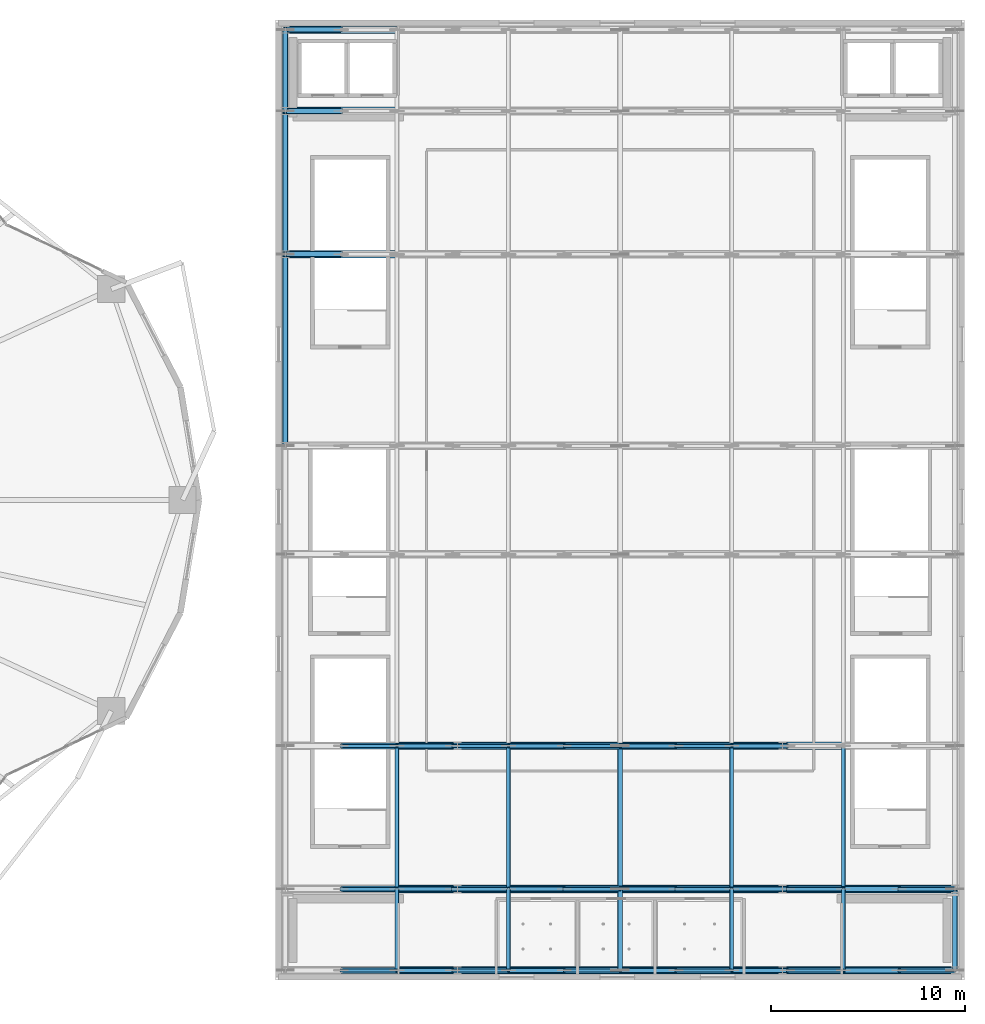
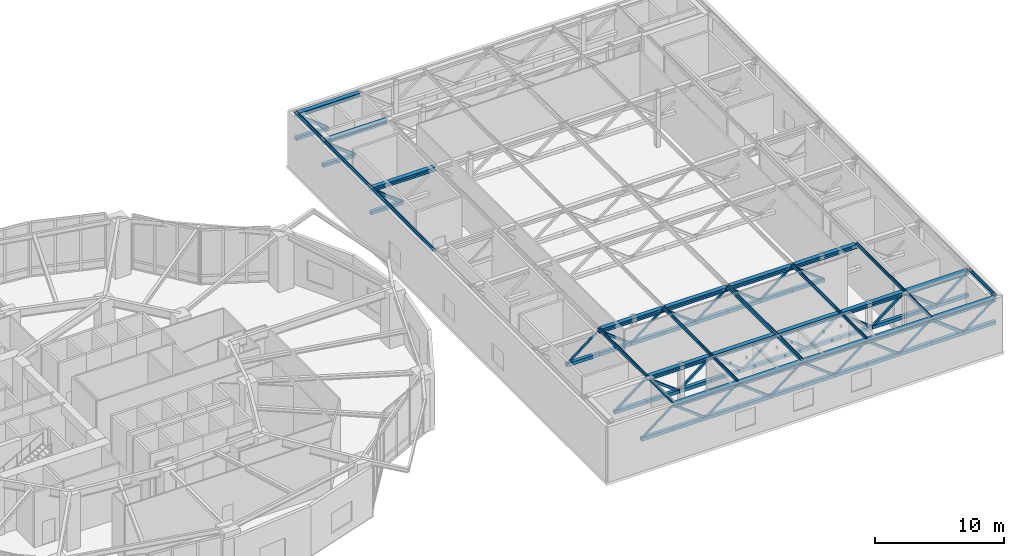
# One storey, part 11 of 29: 97 members.
"""IFC4 building model written with IfcOpenShell, lengths in metres."""

from ifc_helpers import new_model, si_unit, direction, frame, origin, origin_2d, place, context, subcontext, project, spatial, hollow_rectangle, i_section, extrude, material, material_profile, profile_set, type_object, element, save


model = new_model("IFC4")

# Units and contexts
model_context = context("Model", 3, precision=1e-05, world=origin(), true_north=direction((0.0, 1.0)))
body_context = subcontext(model_context, "Body", "Model", "MODEL_VIEW")
ifc_project = project(units=[si_unit("LENGTHUNIT", "METRE"), si_unit("AREAUNIT", "SQUARE_METRE"), si_unit("VOLUMEUNIT", "CUBIC_METRE"), si_unit("PLANEANGLEUNIT", "RADIAN"), si_unit("MASSUNIT", "GRAM", prefix="KILO")], contexts=[model_context])

# Site, building, storey
site_placement = place(None, origin())
site = spatial("IfcSite", under=ifc_project, at=site_placement, CompositionType="ELEMENT")
building_placement = place(site_placement, origin())
building = spatial("IfcBuilding", under=site, at=building_placement, Name="Kolvaren Gate Tower and Convention Centre", CompositionType="ELEMENT")
storey_placement = place(building_placement, frame((0.0, 0.0, 21.0)))
storey = spatial("IfcBuildingStorey", under=building, at=storey_placement, Name="L04", CompositionType="ELEMENT", Elevation=21.0)

# Members
ifc_material_1 = material(Name="Structural steel ASTM A500 Grade C 345 MPa", Category="steel")
ifc_material_profile_1 = material_profile(ifc_material_1, hollow_rectangle(XDim=0.202880859375, YDim=0.202880859375, WallThickness=0.0126953125, at=origin_2d()), Name="HSS203X203X12.7")
ifc_profile_set_1 = profile_set([ifc_material_profile_1], Name="Structural steel ASTM A500 Grade C 345 MPa")
member_type_1 = type_object("IfcMemberType", Name="STR-BR-HSS203X203", PredefinedType="BRACE", material=ifc_profile_set_1)
for number, where, z_axis, x_axis, name in (
    (1, (68.466796875, 2.699951171875, 4.919921875), (0.79235205207, 0.0, -0.610064115959), (0.0, 1.0, 0.0), "Convention Roof Truss TR-01 Web Diagonal 2A"),
    (2, (74.2333984375, 2.699951171875, 4.919921875), (0.79235205207, 0.0, -0.610064115959), (0.0, 1.0, 0.0), "Convention Roof Truss TR-01 Web Diagonal 3A"),
    (3, (80.0, 2.699951171875, 4.919921875), (0.79235205207, 0.0, -0.610064115959), (0.0, 1.0, 0.0), "Convention Roof Truss TR-01 Web Diagonal 4A"),
    (4, (85.7666015625, 2.699951171875, 4.919921875), (0.79235205207, 0.0, -0.610064115959), (0.0, 1.0, 0.0), "Convention Roof Truss TR-01 Web Diagonal 5A"),
    (5, (68.466796875, 6.89990234375, 4.919921875), (0.79235205207, 0.0, -0.610064115959), (0.0, 1.0, 0.0), "Convention Roof Truss TR-02 Web Diagonal 2A"),
    (6, (74.2333984375, 6.89990234375, 4.919921875), (0.79235205207, 0.0, -0.610064115959), (0.0, 1.0, 0.0), "Convention Roof Truss TR-02 Web Diagonal 3A"),
    (7, (80.0, 6.89990234375, 4.919921875), (0.79235205207, 0.0, -0.610064115959), (0.0, 1.0, 0.0), "Convention Roof Truss TR-02 Web Diagonal 4A"),
    (8, (85.7666015625, 6.89990234375, 4.919921875), (0.79235205207, 0.0, -0.610064115959), (0.0, 1.0, 0.0), "Convention Roof Truss TR-02 Web Diagonal 5A"),
    (9, (68.466796875, 14.300048828125, 4.919921875), (0.79235205207, 0.0, -0.610064115959), (0.0, 1.0, 0.0), "Convention Roof Truss TR-03 Web Diagonal 2A"),
    (10, (74.2333984375, 14.300048828125, 4.919921875), (0.79235205207, 0.0, -0.610064115959), (0.0, 1.0, 0.0), "Convention Roof Truss TR-03 Web Diagonal 3A"),
    (11, (80.0, 14.300048828125, 4.919921875), (0.79235205207, 0.0, -0.610064115959), (0.0, 1.0, 0.0), "Convention Roof Truss TR-03 Web Diagonal 4A"),
    (12, (85.7666015625, 14.300048828125, 4.919921875), (0.79235205207, 0.0, -0.610064115959), (0.0, 1.0, 0.0), "Convention Roof Truss TR-03 Web Diagonal 5A"),
):
    element("IfcMember", number, at=place(storey_placement, frame(where, z_axis=z_axis, x_axis=x_axis)), inside=storey, type_object=member_type_1, Name=name, PredefinedType="BRACE", context=body_context, shape_type="SweptSolid", body=[
        extrude(hollow_rectangle(XDim=0.202880859375, YDim=0.202880859375, WallThickness=0.0126953125, at=origin_2d()), origin(), (0.0, 0.0, 1.0), 3.638916015625),
    ])
ifc_material_profile_2 = material_profile(ifc_material_1, hollow_rectangle(XDim=0.25390625, YDim=0.25390625, WallThickness=0.015869140625, at=origin_2d()), Name="HSS254X254X15.9")
ifc_profile_set_2 = profile_set([ifc_material_profile_2], Name="Structural steel ASTM A500 Grade C 345 MPa")
member_type_2 = type_object("IfcMemberType", Name="STR-BR-HSS254X254", PredefinedType="BRACE", material=ifc_profile_set_2)
for number, where, z_axis, x_axis, name in (
    (13, (91.533203125, 2.699951171875, 4.919921875), (0.79237702012, 0.0, -0.610031686051), (0.0, 1.0, 0.0), "Convention Roof Truss TR-01 Web Diagonal 6A"),
    (14, (91.533203125, 6.89990234375, 4.919921875), (0.79237702012, 0.0, -0.610031686051), (0.0, 1.0, 0.0), "Convention Roof Truss TR-02 Web Diagonal 6A"),
):
    element("IfcMember", number, at=place(storey_placement, frame(where, z_axis=z_axis, x_axis=x_axis)), inside=storey, type_object=member_type_2, Name=name, PredefinedType="BRACE", context=body_context, shape_type="SweptSolid", body=[
        extrude(hollow_rectangle(XDim=0.25390625, YDim=0.25390625, WallThickness=0.015869140625, at=origin_2d()), origin(), (0.0, 0.0, 1.0), 3.63916015625),
    ])
for number, where, z_axis, x_axis, name in (
    (15, (62.699951171875, 39.699951171875, 4.919921875), (0.79235205207, 0.0, -0.610064115959), (0.0, 1.0, 0.0), "Convention Roof Truss TR-06 Web Diagonal 1A"),
    (16, (62.699951171875, 47.10009765625, 4.919921875), (0.79235205207, 0.0, -0.610064115959), (0.0, 1.0, 0.0), "Convention Roof Truss TR-07 Web Diagonal 1A"),
    (17, (62.699951171875, 51.300048828125, 4.919921875), (0.79235205207, 0.0, -0.610064115959), (0.0, 1.0, 0.0), "Convention Roof Truss TR-08 Web Diagonal 1A"),
):
    element("IfcMember", number, at=place(storey_placement, frame(where, z_axis=z_axis, x_axis=x_axis)), inside=storey, type_object=member_type_2, Name=name, PredefinedType="BRACE", context=body_context, shape_type="SweptSolid", body=[
        extrude(hollow_rectangle(XDim=0.25390625, YDim=0.25390625, WallThickness=0.015869140625, at=origin_2d()), origin(), (0.0, 0.0, 1.0), 3.638916015625),
    ])
ifc_material_profile_3 = material_profile(ifc_material_1, hollow_rectangle(XDim=0.304931640625, YDim=0.304931640625, WallThickness=0.015869140625, at=origin_2d()), Name="HSS305X305X15.9")
ifc_profile_set_3 = profile_set([ifc_material_profile_3], Name="Structural steel ASTM A500 Grade C 345 MPa")
member_type_3 = type_object("IfcMemberType", Name="STR-CH-HSS305X305", PredefinedType="CHORD", material=ifc_profile_set_3)
member_1_placement = place(storey_placement, frame((65.583251953125, 2.699951171875, 2.699951171875), z_axis=(1.0, 0.0, 0.0), x_axis=(0.0, 1.0, 0.0)))
element("IfcMember", 18, at=member_1_placement, inside=storey, type_object=member_type_3, Name="Convention Roof Truss TR-01 Bottom Chord 1B", PredefinedType="CHORD", context=body_context, shape_type="SweptSolid", body=[
    extrude(hollow_rectangle(XDim=0.304931640625, YDim=0.304931640625, WallThickness=0.015869140625, at=origin_2d()), origin(), (0.0, 0.0, 1.0), 2.883544921875),
])
for number, where, z_axis, x_axis, name in (
    (19, (68.466796875, 2.699951171875, 2.699951171875), (1.0, 0.0, 0.0), (0.0, 1.0, 0.0), "Convention Roof Truss TR-01 Bottom Chord 2A"),
    (20, (71.35009765625, 2.699951171875, 2.699951171875), (1.0, 0.0, 0.0), (0.0, 1.0, 0.0), "Convention Roof Truss TR-01 Bottom Chord 2B"),
    (21, (74.2333984375, 2.699951171875, 2.699951171875), (1.0, 0.0, 0.0), (0.0, 1.0, 0.0), "Convention Roof Truss TR-01 Bottom Chord 3A"),
    (22, (77.11669921875, 2.699951171875, 2.699951171875), (1.0, 0.0, 0.0), (0.0, 1.0, 0.0), "Convention Roof Truss TR-01 Bottom Chord 3B"),
    (23, (80.0, 2.699951171875, 2.699951171875), (1.0, 0.0, 0.0), (0.0, 1.0, 0.0), "Convention Roof Truss TR-01 Bottom Chord 4A"),
    (24, (82.88330078125, 2.699951171875, 2.699951171875), (1.0, 0.0, 0.0), (0.0, 1.0, 0.0), "Convention Roof Truss TR-01 Bottom Chord 4B"),
    (25, (85.7666015625, 2.699951171875, 2.699951171875), (1.0, 0.0, 0.0), (0.0, 1.0, 0.0), "Convention Roof Truss TR-01 Bottom Chord 5A"),
    (26, (88.64990234375, 2.699951171875, 2.699951171875), (1.0, 0.0, 0.0), (0.0, 1.0, 0.0), "Convention Roof Truss TR-01 Bottom Chord 5B"),
):
    element("IfcMember", number, at=place(storey_placement, frame(where, z_axis=z_axis, x_axis=x_axis)), inside=storey, type_object=member_type_3, Name=name, PredefinedType="CHORD", context=body_context, shape_type="SweptSolid", body=[
        extrude(hollow_rectangle(XDim=0.304931640625, YDim=0.304931640625, WallThickness=0.015869140625, at=origin_2d()), origin(), (0.0, 0.0, 1.0), 2.88330078125),
    ])
member_2_placement = place(storey_placement, frame((91.533203125, 2.699951171875, 2.699951171875), z_axis=(1.0, 0.0, 0.0), x_axis=(0.0, 1.0, 0.0)))
element("IfcMember", 27, at=member_2_placement, inside=storey, type_object=member_type_3, Name="Convention Roof Truss TR-01 Bottom Chord 6A", PredefinedType="CHORD", context=body_context, shape_type="SweptSolid", body=[
    extrude(hollow_rectangle(XDim=0.304931640625, YDim=0.304931640625, WallThickness=0.015869140625, at=origin_2d()), origin(), (0.0, 0.0, 1.0), 2.883544921875),
])
member_3_placement = place(storey_placement, frame((94.416748046875, 2.699951171875, 2.699951171875), z_axis=(1.0, 0.0, 0.0), x_axis=(0.0, 1.0, 0.0)))
element("IfcMember", 28, at=member_3_placement, inside=storey, type_object=member_type_3, Name="Convention Roof Truss TR-01 Bottom Chord 6B", PredefinedType="CHORD", context=body_context, shape_type="SweptSolid", body=[
    extrude(hollow_rectangle(XDim=0.304931640625, YDim=0.304931640625, WallThickness=0.015869140625, at=origin_2d()), origin(), (0.0, 0.0, 1.0), 2.88330078125),
])
member_4_placement = place(storey_placement, frame((65.583251953125, 6.89990234375, 2.699951171875), z_axis=(1.0, 0.0, 0.0), x_axis=(0.0, 1.0, 0.0)))
element("IfcMember", 29, at=member_4_placement, inside=storey, type_object=member_type_3, Name="Convention Roof Truss TR-02 Bottom Chord 1B", PredefinedType="CHORD", context=body_context, shape_type="SweptSolid", body=[
    extrude(hollow_rectangle(XDim=0.304931640625, YDim=0.304931640625, WallThickness=0.015869140625, at=origin_2d()), origin(), (0.0, 0.0, 1.0), 2.883544921875),
])
for number, where, z_axis, x_axis, name in (
    (30, (68.466796875, 6.89990234375, 2.699951171875), (1.0, 0.0, 0.0), (0.0, 1.0, 0.0), "Convention Roof Truss TR-02 Bottom Chord 2A"),
    (31, (71.35009765625, 6.89990234375, 2.699951171875), (1.0, 0.0, 0.0), (0.0, 1.0, 0.0), "Convention Roof Truss TR-02 Bottom Chord 2B"),
    (32, (74.2333984375, 6.89990234375, 2.699951171875), (1.0, 0.0, 0.0), (0.0, 1.0, 0.0), "Convention Roof Truss TR-02 Bottom Chord 3A"),
    (33, (77.11669921875, 6.89990234375, 2.699951171875), (1.0, 0.0, 0.0), (0.0, 1.0, 0.0), "Convention Roof Truss TR-02 Bottom Chord 3B"),
    (34, (80.0, 6.89990234375, 2.699951171875), (1.0, 0.0, 0.0), (0.0, 1.0, 0.0), "Convention Roof Truss TR-02 Bottom Chord 4A"),
    (35, (82.88330078125, 6.89990234375, 2.699951171875), (1.0, 0.0, 0.0), (0.0, 1.0, 0.0), "Convention Roof Truss TR-02 Bottom Chord 4B"),
    (36, (85.7666015625, 6.89990234375, 2.699951171875), (1.0, 0.0, 0.0), (0.0, 1.0, 0.0), "Convention Roof Truss TR-02 Bottom Chord 5A"),
    (37, (88.64990234375, 6.89990234375, 2.699951171875), (1.0, 0.0, 0.0), (0.0, 1.0, 0.0), "Convention Roof Truss TR-02 Bottom Chord 5B"),
):
    element("IfcMember", number, at=place(storey_placement, frame(where, z_axis=z_axis, x_axis=x_axis)), inside=storey, type_object=member_type_3, Name=name, PredefinedType="CHORD", context=body_context, shape_type="SweptSolid", body=[
        extrude(hollow_rectangle(XDim=0.304931640625, YDim=0.304931640625, WallThickness=0.015869140625, at=origin_2d()), origin(), (0.0, 0.0, 1.0), 2.88330078125),
    ])
member_5_placement = place(storey_placement, frame((91.533203125, 6.89990234375, 2.699951171875), z_axis=(1.0, 0.0, 0.0), x_axis=(0.0, 1.0, 0.0)))
element("IfcMember", 38, at=member_5_placement, inside=storey, type_object=member_type_3, Name="Convention Roof Truss TR-02 Bottom Chord 6A", PredefinedType="CHORD", context=body_context, shape_type="SweptSolid", body=[
    extrude(hollow_rectangle(XDim=0.304931640625, YDim=0.304931640625, WallThickness=0.015869140625, at=origin_2d()), origin(), (0.0, 0.0, 1.0), 2.883544921875),
])
member_6_placement = place(storey_placement, frame((94.416748046875, 6.89990234375, 2.699951171875), z_axis=(1.0, 0.0, 0.0), x_axis=(0.0, 1.0, 0.0)))
element("IfcMember", 39, at=member_6_placement, inside=storey, type_object=member_type_3, Name="Convention Roof Truss TR-02 Bottom Chord 6B", PredefinedType="CHORD", context=body_context, shape_type="SweptSolid", body=[
    extrude(hollow_rectangle(XDim=0.304931640625, YDim=0.304931640625, WallThickness=0.015869140625, at=origin_2d()), origin(), (0.0, 0.0, 1.0), 2.88330078125),
])
member_7_placement = place(storey_placement, frame((65.583251953125, 14.300048828125, 2.699951171875), z_axis=(1.0, 0.0, 0.0), x_axis=(0.0, 1.0, 0.0)))
element("IfcMember", 40, at=member_7_placement, inside=storey, type_object=member_type_3, Name="Convention Roof Truss TR-03 Bottom Chord 1B", PredefinedType="CHORD", context=body_context, shape_type="SweptSolid", body=[
    extrude(hollow_rectangle(XDim=0.304931640625, YDim=0.304931640625, WallThickness=0.015869140625, at=origin_2d()), origin(), (0.0, 0.0, 1.0), 2.883544921875),
])
for number, where, z_axis, x_axis, name in (
    (41, (68.466796875, 14.300048828125, 2.699951171875), (1.0, 0.0, 0.0), (0.0, 1.0, 0.0), "Convention Roof Truss TR-03 Bottom Chord 2A"),
    (42, (71.35009765625, 14.300048828125, 2.699951171875), (1.0, 0.0, 0.0), (0.0, 1.0, 0.0), "Convention Roof Truss TR-03 Bottom Chord 2B"),
    (43, (74.2333984375, 14.300048828125, 2.699951171875), (1.0, 0.0, 0.0), (0.0, 1.0, 0.0), "Convention Roof Truss TR-03 Bottom Chord 3A"),
    (44, (77.11669921875, 14.300048828125, 2.699951171875), (1.0, 0.0, 0.0), (0.0, 1.0, 0.0), "Convention Roof Truss TR-03 Bottom Chord 3B"),
    (45, (80.0, 14.300048828125, 2.699951171875), (1.0, 0.0, 0.0), (0.0, 1.0, 0.0), "Convention Roof Truss TR-03 Bottom Chord 4A"),
    (46, (82.88330078125, 14.300048828125, 2.699951171875), (1.0, 0.0, 0.0), (0.0, 1.0, 0.0), "Convention Roof Truss TR-03 Bottom Chord 4B"),
    (47, (85.7666015625, 14.300048828125, 2.699951171875), (1.0, 0.0, 0.0), (0.0, 1.0, 0.0), "Convention Roof Truss TR-03 Bottom Chord 5A"),
    (48, (62.699951171875, 39.699951171875, 2.699951171875), (1.0, 0.0, 0.0), (0.0, 1.0, 0.0), "Convention Roof Truss TR-06 Bottom Chord 1A"),
    (49, (62.699951171875, 47.10009765625, 2.699951171875), (1.0, 0.0, 0.0), (0.0, 1.0, 0.0), "Convention Roof Truss TR-07 Bottom Chord 1A"),
    (50, (62.699951171875, 51.300048828125, 2.699951171875), (1.0, 0.0, 0.0), (0.0, 1.0, 0.0), "Convention Roof Truss TR-08 Bottom Chord 1A"),
):
    element("IfcMember", number, at=place(storey_placement, frame(where, z_axis=z_axis, x_axis=x_axis)), inside=storey, type_object=member_type_3, Name=name, PredefinedType="CHORD", context=body_context, shape_type="SweptSolid", body=[
        extrude(hollow_rectangle(XDim=0.304931640625, YDim=0.304931640625, WallThickness=0.015869140625, at=origin_2d()), origin(), (0.0, 0.0, 1.0), 2.88330078125),
    ])
ifc_material_2 = material(Name="Structural steel ASTM A992 Grade 345 MPa", Category="steel")
ifc_material_profile_4 = material_profile(ifc_material_2, i_section(OverallWidth=0.39501953125, OverallDepth=0.3798828125, WebThickness=0.018798828125, FlangeThickness=0.0302734375, at=origin_2d()), Name="W360X237")
ifc_profile_set_4 = profile_set([ifc_material_profile_4], Name="Structural steel ASTM A992 Grade 345 MPa")
member_type_4 = type_object("IfcMemberType", Name="STR-CH-W360X237", PredefinedType="CHORD", material=ifc_profile_set_4)
for number, where, z_axis, x_axis, name in (
    (51, (68.466796875, 2.699951171875, 4.919921875), (1.0, 0.0, 0.0), (0.0, 1.0, 0.0), "Convention Roof Truss TR-01 Top Chord 2"),
    (52, (74.2333984375, 2.699951171875, 4.919921875), (1.0, 0.0, 0.0), (0.0, 1.0, 0.0), "Convention Roof Truss TR-01 Top Chord 3"),
    (53, (80.0, 2.699951171875, 4.919921875), (1.0, 0.0, 0.0), (0.0, 1.0, 0.0), "Convention Roof Truss TR-01 Top Chord 4"),
    (54, (85.7666015625, 2.699951171875, 4.919921875), (1.0, 0.0, 0.0), (0.0, 1.0, 0.0), "Convention Roof Truss TR-01 Top Chord 5"),
):
    element("IfcMember", number, at=place(storey_placement, frame(where, z_axis=z_axis, x_axis=x_axis)), inside=storey, type_object=member_type_4, Name=name, PredefinedType="CHORD", context=body_context, shape_type="SweptSolid", body=[
        extrude(i_section(OverallWidth=0.39501953125, OverallDepth=0.3798828125, WebThickness=0.018798828125, FlangeThickness=0.0302734375, at=origin_2d()), origin(), (0.0, 0.0, 1.0), 5.7666015625),
    ])
member_8_placement = place(storey_placement, frame((91.533203125, 2.699951171875, 4.919921875), z_axis=(1.0, 0.0, 0.0), x_axis=(0.0, 1.0, 0.0)))
element("IfcMember", 55, at=member_8_placement, inside=storey, type_object=member_type_4, Name="Convention Roof Truss TR-01 Top Chord 6", PredefinedType="CHORD", context=body_context, shape_type="SweptSolid", body=[
    extrude(i_section(OverallWidth=0.39501953125, OverallDepth=0.3798828125, WebThickness=0.018798828125, FlangeThickness=0.0302734375, at=origin_2d()), origin(), (0.0, 0.0, 1.0), 5.766845703125),
])
for number, where, z_axis, x_axis, name in (
    (56, (68.466796875, 6.89990234375, 4.919921875), (1.0, 0.0, 0.0), (0.0, 1.0, 0.0), "Convention Roof Truss TR-02 Top Chord 2"),
    (57, (74.2333984375, 6.89990234375, 4.919921875), (1.0, 0.0, 0.0), (0.0, 1.0, 0.0), "Convention Roof Truss TR-02 Top Chord 3"),
    (58, (80.0, 6.89990234375, 4.919921875), (1.0, 0.0, 0.0), (0.0, 1.0, 0.0), "Convention Roof Truss TR-02 Top Chord 4"),
    (59, (85.7666015625, 6.89990234375, 4.919921875), (1.0, 0.0, 0.0), (0.0, 1.0, 0.0), "Convention Roof Truss TR-02 Top Chord 5"),
):
    element("IfcMember", number, at=place(storey_placement, frame(where, z_axis=z_axis, x_axis=x_axis)), inside=storey, type_object=member_type_4, Name=name, PredefinedType="CHORD", context=body_context, shape_type="SweptSolid", body=[
        extrude(i_section(OverallWidth=0.39501953125, OverallDepth=0.3798828125, WebThickness=0.018798828125, FlangeThickness=0.0302734375, at=origin_2d()), origin(), (0.0, 0.0, 1.0), 5.7666015625),
    ])
member_9_placement = place(storey_placement, frame((91.533203125, 6.89990234375, 4.919921875), z_axis=(1.0, 0.0, 0.0), x_axis=(0.0, 1.0, 0.0)))
element("IfcMember", 60, at=member_9_placement, inside=storey, type_object=member_type_4, Name="Convention Roof Truss TR-02 Top Chord 6", PredefinedType="CHORD", context=body_context, shape_type="SweptSolid", body=[
    extrude(i_section(OverallWidth=0.39501953125, OverallDepth=0.3798828125, WebThickness=0.018798828125, FlangeThickness=0.0302734375, at=origin_2d()), origin(), (0.0, 0.0, 1.0), 5.766845703125),
])
for number, where, z_axis, x_axis, name in (
    (61, (68.466796875, 14.300048828125, 4.919921875), (1.0, 0.0, 0.0), (0.0, 1.0, 0.0), "Convention Roof Truss TR-03 Top Chord 2"),
    (62, (74.2333984375, 14.300048828125, 4.919921875), (1.0, 0.0, 0.0), (0.0, 1.0, 0.0), "Convention Roof Truss TR-03 Top Chord 3"),
    (63, (80.0, 14.300048828125, 4.919921875), (1.0, 0.0, 0.0), (0.0, 1.0, 0.0), "Convention Roof Truss TR-03 Top Chord 4"),
    (64, (85.7666015625, 14.300048828125, 4.919921875), (1.0, 0.0, 0.0), (0.0, 1.0, 0.0), "Convention Roof Truss TR-03 Top Chord 5"),
):
    element("IfcMember", number, at=place(storey_placement, frame(where, z_axis=z_axis, x_axis=x_axis)), inside=storey, type_object=member_type_4, Name=name, PredefinedType="CHORD", context=body_context, shape_type="SweptSolid", body=[
        extrude(i_section(OverallWidth=0.39501953125, OverallDepth=0.3798828125, WebThickness=0.018798828125, FlangeThickness=0.0302734375, at=origin_2d()), origin(), (0.0, 0.0, 1.0), 5.7666015625),
    ])
for number, where, z_axis, x_axis, name in (
    (65, (62.699951171875, 39.699951171875, 4.919921875), (1.0, 0.0, 0.0), (0.0, 1.0, 0.0), "Convention Roof Truss TR-06 Top Chord 1"),
    (66, (62.699951171875, 47.10009765625, 4.919921875), (1.0, 0.0, 0.0), (0.0, 1.0, 0.0), "Convention Roof Truss TR-07 Top Chord 1"),
    (67, (62.699951171875, 51.300048828125, 4.919921875), (1.0, 0.0, 0.0), (0.0, 1.0, 0.0), "Convention Roof Truss TR-08 Top Chord 1"),
):
    element("IfcMember", number, at=place(storey_placement, frame(where, z_axis=z_axis, x_axis=x_axis)), inside=storey, type_object=member_type_4, Name=name, PredefinedType="CHORD", context=body_context, shape_type="SweptSolid", body=[
        extrude(i_section(OverallWidth=0.39501953125, OverallDepth=0.3798828125, WebThickness=0.018798828125, FlangeThickness=0.0302734375, at=origin_2d()), origin(), (0.0, 0.0, 1.0), 5.766845703125),
    ])
ifc_material_profile_5 = material_profile(ifc_material_2, i_section(OverallWidth=0.202880859375, OverallDepth=0.202880859375, WebThickness=0.007080078125, FlangeThickness=0.010986328125, at=origin_2d()), Name="W200X46")
ifc_profile_set_5 = profile_set([ifc_material_profile_5], Name="Structural steel ASTM A992 Grade 345 MPa")
member_type_5 = type_object("IfcMemberType", Name="STR-PR-W200X46", PredefinedType="PURLIN", material=ifc_profile_set_5)
member_10_placement = place(storey_placement, frame((68.466796875, 2.699951171875, 5.1484375), z_axis=(0.0, 1.0, 0.0), x_axis=(0.0, 0.0, 1.0)))
element("IfcMember", 68, at=member_10_placement, inside=storey, type_object=member_type_5, Name="Convention Roof Purlin PR-2.1", PredefinedType="PURLIN", context=body_context, shape_type="SweptSolid", body=[
    extrude(i_section(OverallWidth=0.202880859375, OverallDepth=0.202880859375, WebThickness=0.007080078125, FlangeThickness=0.010986328125, at=origin_2d()), origin(), (0.0, 0.0, 1.0), 4.199951171875),
])
member_11_placement = place(storey_placement, frame((68.466796875, 6.89990234375, 5.1484375), z_axis=(0.0, 1.0, 0.0), x_axis=(0.0, 0.0, 1.0)))
element("IfcMember", 69, at=member_11_placement, inside=storey, type_object=member_type_5, Name="Convention Roof Purlin PR-2.2", PredefinedType="PURLIN", context=body_context, shape_type="SweptSolid", body=[
    extrude(i_section(OverallWidth=0.202880859375, OverallDepth=0.202880859375, WebThickness=0.007080078125, FlangeThickness=0.010986328125, at=origin_2d()), origin(), (0.0, 0.0, 1.0), 7.400146484375),
])
member_12_placement = place(storey_placement, frame((74.2333984375, 2.699951171875, 5.1484375), z_axis=(0.0, 1.0, 0.0), x_axis=(0.0, 0.0, 1.0)))
element("IfcMember", 70, at=member_12_placement, inside=storey, type_object=member_type_5, Name="Convention Roof Purlin PR-3.1", PredefinedType="PURLIN", context=body_context, shape_type="SweptSolid", body=[
    extrude(i_section(OverallWidth=0.202880859375, OverallDepth=0.202880859375, WebThickness=0.007080078125, FlangeThickness=0.010986328125, at=origin_2d()), origin(), (0.0, 0.0, 1.0), 4.199951171875),
])
member_13_placement = place(storey_placement, frame((74.2333984375, 6.89990234375, 5.1484375), z_axis=(0.0, 1.0, 0.0), x_axis=(0.0, 0.0, 1.0)))
element("IfcMember", 71, at=member_13_placement, inside=storey, type_object=member_type_5, Name="Convention Roof Purlin PR-3.2", PredefinedType="PURLIN", context=body_context, shape_type="SweptSolid", body=[
    extrude(i_section(OverallWidth=0.202880859375, OverallDepth=0.202880859375, WebThickness=0.007080078125, FlangeThickness=0.010986328125, at=origin_2d()), origin(), (0.0, 0.0, 1.0), 7.400146484375),
])
member_14_placement = place(storey_placement, frame((85.7666015625, 2.699951171875, 5.1484375), z_axis=(0.0, 1.0, 0.0), x_axis=(0.0, 0.0, 1.0)))
element("IfcMember", 72, at=member_14_placement, inside=storey, type_object=member_type_5, Name="Convention Roof Purlin PR-5.1", PredefinedType="PURLIN", context=body_context, shape_type="SweptSolid", body=[
    extrude(i_section(OverallWidth=0.202880859375, OverallDepth=0.202880859375, WebThickness=0.007080078125, FlangeThickness=0.010986328125, at=origin_2d()), origin(), (0.0, 0.0, 1.0), 4.199951171875),
])
member_15_placement = place(storey_placement, frame((85.7666015625, 6.89990234375, 5.1484375), z_axis=(0.0, 1.0, 0.0), x_axis=(0.0, 0.0, 1.0)))
element("IfcMember", 73, at=member_15_placement, inside=storey, type_object=member_type_5, Name="Convention Roof Purlin PR-5.2", PredefinedType="PURLIN", context=body_context, shape_type="SweptSolid", body=[
    extrude(i_section(OverallWidth=0.202880859375, OverallDepth=0.202880859375, WebThickness=0.007080078125, FlangeThickness=0.010986328125, at=origin_2d()), origin(), (0.0, 0.0, 1.0), 7.400146484375),
])
member_16_placement = place(storey_placement, frame((91.533203125, 2.699951171875, 5.1484375), z_axis=(0.0, 1.0, 0.0), x_axis=(0.0, 0.0, 1.0)))
element("IfcMember", 74, at=member_16_placement, inside=storey, type_object=member_type_5, Name="Convention Roof Purlin PR-6.1", PredefinedType="PURLIN", context=body_context, shape_type="SweptSolid", body=[
    extrude(i_section(OverallWidth=0.202880859375, OverallDepth=0.202880859375, WebThickness=0.007080078125, FlangeThickness=0.010986328125, at=origin_2d()), origin(), (0.0, 0.0, 1.0), 4.199951171875),
])
member_17_placement = place(storey_placement, frame((91.533203125, 6.89990234375, 5.1484375), z_axis=(0.0, 1.0, 0.0), x_axis=(0.0, 0.0, 1.0)))
element("IfcMember", 75, at=member_17_placement, inside=storey, type_object=member_type_5, Name="Convention Roof Purlin PR-6.2", PredefinedType="PURLIN", context=body_context, shape_type="SweptSolid", body=[
    extrude(i_section(OverallWidth=0.202880859375, OverallDepth=0.202880859375, WebThickness=0.007080078125, FlangeThickness=0.010986328125, at=origin_2d()), origin(), (0.0, 0.0, 1.0), 7.400146484375),
])
ifc_material_profile_6 = material_profile(ifc_material_2, i_section(OverallWidth=0.256103515625, OverallDepth=0.260009765625, WebThickness=0.0107421875, FlangeThickness=0.017333984375, at=origin_2d()), Name="W250X89")
ifc_profile_set_6 = profile_set([ifc_material_profile_6], Name="Structural steel ASTM A992 Grade 345 MPa")
member_type_6 = type_object("IfcMemberType", Name="STR-PR-W250X89", PredefinedType="PURLIN", material=ifc_profile_set_6)
member_18_placement = place(storey_placement, frame((62.699951171875, 29.800048828125, 5.1201171875), z_axis=(0.0, 1.0, 0.0), x_axis=(0.0, 0.0, 1.0)))
element("IfcMember", 76, at=member_18_placement, inside=storey, type_object=member_type_6, Name="Convention Roof Purlin PR-1.5", PredefinedType="PURLIN", context=body_context, shape_type="SweptSolid", body=[
    extrude(i_section(OverallWidth=0.256103515625, OverallDepth=0.260009765625, WebThickness=0.0107421875, FlangeThickness=0.017333984375, at=origin_2d()), origin(), (0.0, 0.0, 1.0), 9.89990234375),
])
member_19_placement = place(storey_placement, frame((62.699951171875, 39.699951171875, 5.1201171875), z_axis=(0.0, 1.0, 0.0), x_axis=(0.0, 0.0, 1.0)))
element("IfcMember", 77, at=member_19_placement, inside=storey, type_object=member_type_6, Name="Convention Roof Purlin PR-1.6", PredefinedType="PURLIN", context=body_context, shape_type="SweptSolid", body=[
    extrude(i_section(OverallWidth=0.256103515625, OverallDepth=0.260009765625, WebThickness=0.0107421875, FlangeThickness=0.017333984375, at=origin_2d()), origin(), (0.0, 0.0, 1.0), 7.400146484375),
])
for number, where, z_axis, x_axis, name in (
    (78, (62.699951171875, 47.10009765625, 5.1201171875), (0.0, 1.0, 0.0), (0.0, 0.0, 1.0), "Convention Roof Purlin PR-1.7"),
    (79, (80.0, 2.699951171875, 5.1201171875), (0.0, 1.0, 0.0), (0.0, 0.0, 1.0), "Convention Roof Purlin PR-4.1"),
):
    element("IfcMember", number, at=place(storey_placement, frame(where, z_axis=z_axis, x_axis=x_axis)), inside=storey, type_object=member_type_6, Name=name, PredefinedType="PURLIN", context=body_context, shape_type="SweptSolid", body=[
        extrude(i_section(OverallWidth=0.256103515625, OverallDepth=0.260009765625, WebThickness=0.0107421875, FlangeThickness=0.017333984375, at=origin_2d()), origin(), (0.0, 0.0, 1.0), 4.199951171875),
    ])
member_20_placement = place(storey_placement, frame((80.0, 6.89990234375, 5.1201171875), z_axis=(0.0, 1.0, 0.0), x_axis=(0.0, 0.0, 1.0)))
element("IfcMember", 80, at=member_20_placement, inside=storey, type_object=member_type_6, Name="Convention Roof Purlin PR-4.2", PredefinedType="PURLIN", context=body_context, shape_type="SweptSolid", body=[
    extrude(i_section(OverallWidth=0.256103515625, OverallDepth=0.260009765625, WebThickness=0.0107421875, FlangeThickness=0.017333984375, at=origin_2d()), origin(), (0.0, 0.0, 1.0), 7.400146484375),
])
member_21_placement = place(storey_placement, frame((97.300048828125, 2.699951171875, 5.1201171875), z_axis=(0.0, 1.0, 0.0), x_axis=(0.0, 0.0, 1.0)))
element("IfcMember", 81, at=member_21_placement, inside=storey, type_object=member_type_6, Name="Convention Roof Purlin PR-7.1", PredefinedType="PURLIN", context=body_context, shape_type="SweptSolid", body=[
    extrude(i_section(OverallWidth=0.256103515625, OverallDepth=0.260009765625, WebThickness=0.0107421875, FlangeThickness=0.017333984375, at=origin_2d()), origin(), (0.0, 0.0, 1.0), 4.199951171875),
])
ifc_material_profile_7 = material_profile(ifc_material_1, hollow_rectangle(XDim=0.152099609375, YDim=0.152099609375, WallThickness=0.009521484375, at=origin_2d()), Name="HSS152X152X9.5")
ifc_profile_set_7 = profile_set([ifc_material_profile_7], Name="Structural steel ASTM A500 Grade C 345 MPa")
member_type_7 = type_object("IfcMemberType", Name="STR-ST-HSS152X152", PredefinedType="STRUT", material=ifc_profile_set_7)
member_22_placement = place(storey_placement, frame((65.583251953125, 2.699951171875, 2.699951171875), z_axis=(0.79237702012, 0.0, 0.610031686051), x_axis=(0.0, 1.0, 0.0)))
element("IfcMember", 82, at=member_22_placement, inside=storey, type_object=member_type_7, Name="Convention Roof Truss TR-01 Web Strut 1B", PredefinedType="STRUT", context=body_context, shape_type="SweptSolid", body=[
    extrude(hollow_rectangle(XDim=0.152099609375, YDim=0.152099609375, WallThickness=0.009521484375, at=origin_2d()), origin(), (0.0, 0.0, 1.0), 3.63916015625),
])
for number, where, z_axis, x_axis, name in (
    (83, (71.35009765625, 2.699951171875, 2.699951171875), (0.79235205207, 0.0, 0.610064115959), (0.0, 1.0, 0.0), "Convention Roof Truss TR-01 Web Strut 2B"),
    (84, (77.11669921875, 2.699951171875, 2.699951171875), (0.79235205207, 0.0, 0.610064115959), (0.0, 1.0, 0.0), "Convention Roof Truss TR-01 Web Strut 3B"),
    (85, (82.88330078125, 2.699951171875, 2.699951171875), (0.79235205207, 0.0, 0.610064115959), (0.0, 1.0, 0.0), "Convention Roof Truss TR-01 Web Strut 4B"),
    (86, (88.64990234375, 2.699951171875, 2.699951171875), (0.79235205207, 0.0, 0.610064115959), (0.0, 1.0, 0.0), "Convention Roof Truss TR-01 Web Strut 5B"),
    (87, (94.416748046875, 2.699951171875, 2.699951171875), (0.79235205207, 0.0, 0.610064115959), (0.0, 1.0, 0.0), "Convention Roof Truss TR-01 Web Strut 6B"),
):
    element("IfcMember", number, at=place(storey_placement, frame(where, z_axis=z_axis, x_axis=x_axis)), inside=storey, type_object=member_type_7, Name=name, PredefinedType="STRUT", context=body_context, shape_type="SweptSolid", body=[
        extrude(hollow_rectangle(XDim=0.152099609375, YDim=0.152099609375, WallThickness=0.009521484375, at=origin_2d()), origin(), (0.0, 0.0, 1.0), 3.638916015625),
    ])
member_23_placement = place(storey_placement, frame((65.583251953125, 14.300048828125, 2.699951171875), z_axis=(0.79237702012, 0.0, 0.610031686051), x_axis=(0.0, 1.0, 0.0)))
element("IfcMember", 88, at=member_23_placement, inside=storey, type_object=member_type_7, Name="Convention Roof Truss TR-03 Web Strut 1B", PredefinedType="STRUT", context=body_context, shape_type="SweptSolid", body=[
    extrude(hollow_rectangle(XDim=0.152099609375, YDim=0.152099609375, WallThickness=0.009521484375, at=origin_2d()), origin(), (0.0, 0.0, 1.0), 3.63916015625),
])
for number, where, z_axis, x_axis, name in (
    (89, (71.35009765625, 14.300048828125, 2.699951171875), (0.79235205207, 0.0, 0.610064115959), (0.0, 1.0, 0.0), "Convention Roof Truss TR-03 Web Strut 2B"),
    (90, (77.11669921875, 14.300048828125, 2.699951171875), (0.79235205207, 0.0, 0.610064115959), (0.0, 1.0, 0.0), "Convention Roof Truss TR-03 Web Strut 3B"),
    (91, (82.88330078125, 14.300048828125, 2.699951171875), (0.79235205207, 0.0, 0.610064115959), (0.0, 1.0, 0.0), "Convention Roof Truss TR-03 Web Strut 4B"),
):
    element("IfcMember", number, at=place(storey_placement, frame(where, z_axis=z_axis, x_axis=x_axis)), inside=storey, type_object=member_type_7, Name=name, PredefinedType="STRUT", context=body_context, shape_type="SweptSolid", body=[
        extrude(hollow_rectangle(XDim=0.152099609375, YDim=0.152099609375, WallThickness=0.009521484375, at=origin_2d()), origin(), (0.0, 0.0, 1.0), 3.638916015625),
    ])
ifc_material_profile_8 = material_profile(ifc_material_1, hollow_rectangle(XDim=0.177978515625, YDim=0.177978515625, WallThickness=0.009521484375, at=origin_2d()), Name="HSS178X178X9.5")
ifc_profile_set_8 = profile_set([ifc_material_profile_8], Name="Structural steel ASTM A500 Grade C 345 MPa")
member_type_8 = type_object("IfcMemberType", Name="STR-ST-HSS178", PredefinedType="STRUT", material=ifc_profile_set_8)
member_24_placement = place(storey_placement, frame((65.583251953125, 6.89990234375, 2.699951171875), z_axis=(0.79237702012, 0.0, 0.610031686051), x_axis=(0.0, 1.0, 0.0)))
element("IfcMember", 92, at=member_24_placement, inside=storey, type_object=member_type_8, Name="Convention Roof Truss TR-02 Web Strut 1B", PredefinedType="STRUT", context=body_context, shape_type="SweptSolid", body=[
    extrude(hollow_rectangle(XDim=0.177978515625, YDim=0.177978515625, WallThickness=0.009521484375, at=origin_2d()), origin(), (0.0, 0.0, 1.0), 3.63916015625),
])
for number, where, z_axis, x_axis, name in (
    (93, (71.35009765625, 6.89990234375, 2.699951171875), (0.79235205207, 0.0, 0.610064115959), (0.0, 1.0, 0.0), "Convention Roof Truss TR-02 Web Strut 2B"),
    (94, (77.11669921875, 6.89990234375, 2.699951171875), (0.79235205207, 0.0, 0.610064115959), (0.0, 1.0, 0.0), "Convention Roof Truss TR-02 Web Strut 3B"),
    (95, (82.88330078125, 6.89990234375, 2.699951171875), (0.79235205207, 0.0, 0.610064115959), (0.0, 1.0, 0.0), "Convention Roof Truss TR-02 Web Strut 4B"),
    (96, (88.64990234375, 6.89990234375, 2.699951171875), (0.79235205207, 0.0, 0.610064115959), (0.0, 1.0, 0.0), "Convention Roof Truss TR-02 Web Strut 5B"),
    (97, (94.416748046875, 6.89990234375, 2.699951171875), (0.79235205207, 0.0, 0.610064115959), (0.0, 1.0, 0.0), "Convention Roof Truss TR-02 Web Strut 6B"),
):
    element("IfcMember", number, at=place(storey_placement, frame(where, z_axis=z_axis, x_axis=x_axis)), inside=storey, type_object=member_type_8, Name=name, PredefinedType="STRUT", context=body_context, shape_type="SweptSolid", body=[
        extrude(hollow_rectangle(XDim=0.177978515625, YDim=0.177978515625, WallThickness=0.009521484375, at=origin_2d()), origin(), (0.0, 0.0, 1.0), 3.638916015625),
    ])

save(model, "model.ifc")
